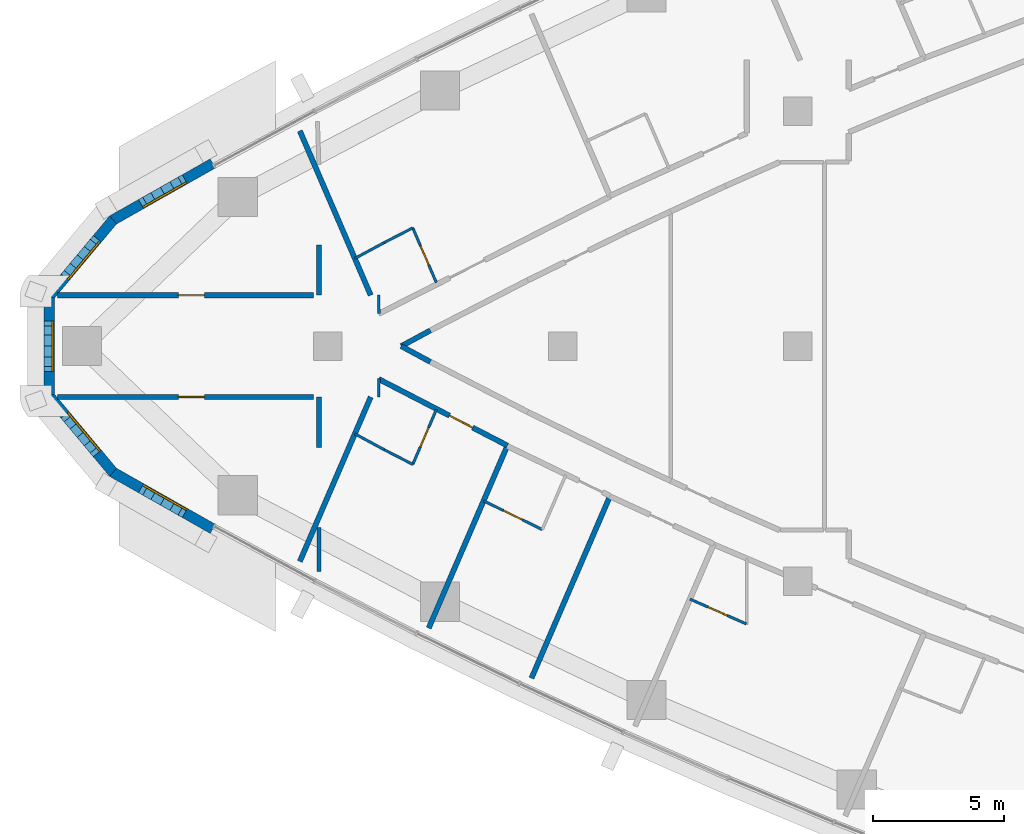
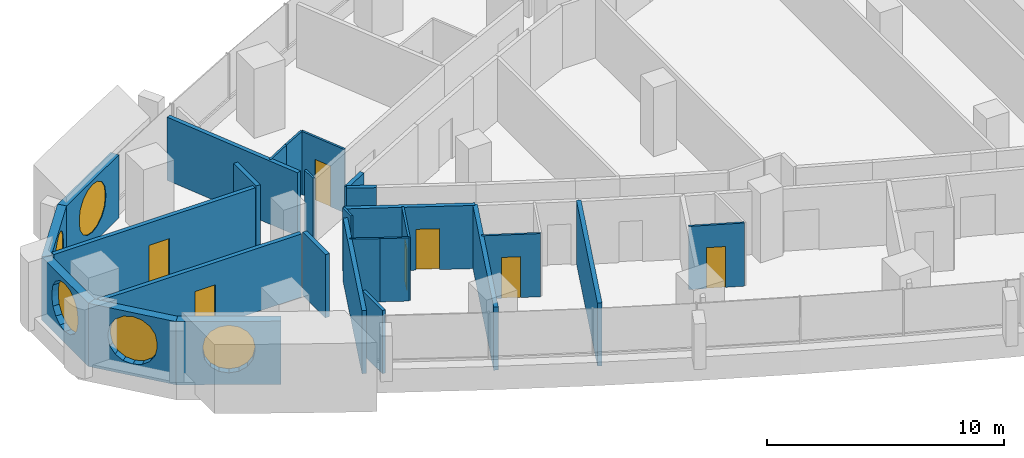
# One storey, part 8 of 17: 27 walls, 7 doors, 5 windows, 12 openings.
"""IFC4 building model written with IfcOpenShell, lengths in metres."""

from ifc_helpers import new_model, si_unit, direction, frame, frame_2d, origin, place, context, subcontext, project, spatial, polyline, rectangle, outline, extrude, material, layer, layer_set, type_object, element, fill, save


model = new_model("IFC4")

# Units and contexts
model_context = context("Model", 3, precision=1e-05, world=origin(), true_north=direction((0.0, 1.0)))
body_context = subcontext(model_context, "Body", "Model", "MODEL_VIEW")
ifc_project = project(units=[si_unit("LENGTHUNIT", "METRE"), si_unit("AREAUNIT", "SQUARE_METRE"), si_unit("VOLUMEUNIT", "CUBIC_METRE"), si_unit("PLANEANGLEUNIT", "RADIAN"), si_unit("MASSUNIT", "GRAM", prefix="KILO")], contexts=[model_context])

# Site, building, storey
site_placement = place(None, origin())
site = spatial("IfcSite", under=ifc_project, at=site_placement, CompositionType="ELEMENT")
building_placement = place(site_placement, origin())
building = spatial("IfcBuilding", under=site, at=building_placement, Name="Ostrand Prow Hotel Tower", CompositionType="ELEMENT")
storey_placement = place(building_placement, frame((0.0, 0.0, 155.050048828125)))
storey = spatial("IfcBuildingStorey", under=building, at=storey_placement, Name="L38", CompositionType="ELEMENT", Elevation=155.050048828125)

# Walls
ifc_material_1 = material(Name="Plasterboard partition")
ifc_layer_1 = layer(ifc_material_1, 0.10009765625)
ifc_layer_set_1 = layer_set([ifc_layer_1], Name="Plasterboard partition")
wall_type_1 = type_object("IfcWallType", Name="Partition 100 bathroom wall", PredefinedType="PARTITIONING", material=ifc_layer_set_1)
wall_1_placement = place(storey_placement, frame((17.03564453125, 3.3583984375, 0.0), z_axis=(0.0, 0.0, 1.0), x_axis=(0.879823588489, 0.475300382009, 0.0)))
element("IfcWall", 1, at=wall_1_placement, inside=storey, type_object=wall_type_1, Name="BATHROOM WALL", PredefinedType="PARTITIONING", context=body_context, shape_type="SweptSolid", body=[
    extrude(rectangle(XDim=1.27294921875, YDim=0.10009765625, at=frame_2d((0.636474609375, 0.0))), origin(), (0.0, 0.0, 1.0), 3.25),
])
wall_2_placement = place(storey_placement, frame((18.155517578125, 3.96337890625, 0.0), z_axis=(0.0, 0.0, 1.0), x_axis=(0.889106231322, 0.457700895154, 0.0)))
element("IfcWall", 2, at=wall_2_placement, inside=storey, type_object=wall_type_1, Name="BATHROOM WALL", PredefinedType="PARTITIONING", context=body_context, shape_type="SweptSolid", body=[
    extrude(rectangle(XDim=1.23486328125, YDim=0.10009765625, at=frame_2d((0.617431640625, 0.0))), origin(), (0.0, 0.0, 1.0), 3.25),
])

# Wall, opening, door
wall_3_placement = place(storey_placement, frame((19.253662109375, 4.528564453125, 0.0), z_axis=(0.0, 0.0, 1.0), x_axis=(0.395958457437, -0.9182684248, 0.0)))
wall_3 = element("IfcWall", 3, at=wall_3_placement, inside=storey, type_object=wall_type_1, Name="BATHROOM WALL", PredefinedType="PARTITIONING", context=body_context, shape_type="SweptSolid", body=[
    extrude(rectangle(XDim=2.281982421875, YDim=0.10009765625, at=frame_2d((1.14111328125, 0.0))), origin(), (0.0, 0.0, 1.0), 3.25),
])
opening_1_placement = place(wall_3_placement, frame((0.75, 0.0, 0.0)))
opening_1 = element("IfcOpeningElement", 4, at=opening_1_placement, cuts=wall_3, Name="Opening D2", PredefinedType="OPENING", context=body_context, shape_type="SweptSolid", body=[
    extrude(rectangle(XDim=0.800048828125, YDim=2.10009765625, at=frame_2d((0.39990234375, 1.050048828125))), frame((0.0, 0.06005859375, 0.0), z_axis=(0.0, -1.0, 0.0), x_axis=(1.0, 0.0, 0.0)), (0.0, 0.0, 1.0), 0.1201171875),
])
ifc_material_2 = material(Name="Timber door leaf", Category="wood")
door_type_1 = type_object("IfcDoorType", Name="Bathroom door 800", OperationType="SINGLE_SWING_LEFT", PredefinedType="DOOR", material=ifc_material_2)
door_1_placement = place(opening_1_placement, origin())
door_1 = element("IfcDoor", 5, at=door_1_placement, inside=storey, type_object=door_type_1, Name="DOOR", OperationType="SINGLE_SWING_LEFT", OverallHeight=2.10009765625, OverallWidth=0.800048828125, PredefinedType="DOOR", context=body_context, shape_type="SweptSolid", body=[
    extrude(rectangle(XDim=0.800048828125, YDim=2.10009765625, at=frame_2d((0.39990234375, 1.050048828125))), frame((0.0, 0.02490234375, 0.0), z_axis=(0.0, -1.0, 0.0), x_axis=(1.0, 0.0, 0.0)), (0.0, 0.0, 1.0), 0.050048828125),
])
fill(opening_1, door_1)

wall_4_placement = place(storey_placement, frame((20.1572265625, -2.43310546875, 0.0), z_axis=(0.0, 0.0, 1.0), x_axis=(-0.395958457437, -0.9182684248, 0.0)))
wall_4 = element("IfcWall", 6, at=wall_4_placement, inside=storey, type_object=wall_type_1, Name="BATHROOM WALL", PredefinedType="PARTITIONING", context=body_context, shape_type="SweptSolid", body=[
    extrude(rectangle(XDim=2.281982421875, YDim=0.10009765625, at=frame_2d((1.14111328125, 0.0))), origin(), (0.0, 0.0, 1.0), 3.25),
])
opening_2_placement = place(wall_4_placement, frame((0.75, 0.0, 0.0)))
opening_2 = element("IfcOpeningElement", 7, at=opening_2_placement, cuts=wall_4, Name="Opening D2", PredefinedType="OPENING", context=body_context, shape_type="SweptSolid", body=[
    extrude(rectangle(XDim=0.800048828125, YDim=2.10009765625, at=frame_2d((0.39990234375, 1.050048828125))), frame((0.0, 0.06005859375, 0.0), z_axis=(0.0, -1.0, 0.0), x_axis=(1.0, 0.0, 0.0)), (0.0, 0.0, 1.0), 0.1201171875),
])
door_2_placement = place(opening_2_placement, origin())
door_2 = element("IfcDoor", 8, at=door_2_placement, inside=storey, type_object=door_type_1, Name="DOOR", OperationType="SINGLE_SWING_LEFT", OverallHeight=2.10009765625, OverallWidth=0.800048828125, PredefinedType="DOOR", context=body_context, shape_type="SweptSolid", body=[
    extrude(rectangle(XDim=0.800048828125, YDim=2.10009765625, at=frame_2d((0.39990234375, 1.050048828125))), frame((0.0, 0.02490234375, 0.0), z_axis=(0.0, -1.0, 0.0), x_axis=(1.0, 0.0, 0.0)), (0.0, 0.0, 1.0), 0.050048828125),
])
fill(opening_2, door_2)

# Walls
wall_5_placement = place(storey_placement, frame((19.25341796875, -4.528564453125, 0.0), z_axis=(0.0, 0.0, 1.0), x_axis=(-0.889106231322, 0.457700895154, 0.0)))
element("IfcWall", 9, at=wall_5_placement, inside=storey, type_object=wall_type_1, Name="BATHROOM WALL", PredefinedType="PARTITIONING", context=body_context, shape_type="SweptSolid", body=[
    extrude(rectangle(XDim=1.23486328125, YDim=0.10009765625, at=frame_2d((0.617431640625, 0.0))), origin(), (0.0, 0.0, 1.0), 3.25),
])
wall_6_placement = place(storey_placement, frame((18.155517578125, -3.96337890625, 0.0), z_axis=(0.0, 0.0, 1.0), x_axis=(-0.879823588489, 0.475300382009, 0.0)))
element("IfcWall", 10, at=wall_6_placement, inside=storey, type_object=wall_type_1, Name="BATHROOM WALL", PredefinedType="PARTITIONING", context=body_context, shape_type="SweptSolid", body=[
    extrude(rectangle(XDim=1.27294921875, YDim=0.10009765625, at=frame_2d((0.636474609375, 0.0))), origin(), (0.0, 0.0, 1.0), 3.25),
])

# Wall, opening, door
wall_7_placement = place(storey_placement, frame((24.214111328125, -7.02490234375, 0.0), z_axis=(0.0, 0.0, 1.0), x_axis=(-0.898122466967, 0.439745419907, 0.0)))
wall_7 = element("IfcWall", 11, at=wall_7_placement, inside=storey, type_object=wall_type_1, Name="BATHROOM WALL", PredefinedType="PARTITIONING", context=body_context, shape_type="SweptSolid", body=[
    extrude(rectangle(XDim=2.502685546875, YDim=0.10009765625, at=frame_2d((1.25146484375, 0.0))), origin(), (0.0, 0.0, 1.0), 3.25),
])
opening_3_placement = place(wall_7_placement, frame((0.85009765625, 0.0, 0.0)))
opening_3 = element("IfcOpeningElement", 12, at=opening_3_placement, cuts=wall_7, Name="Opening D2", PredefinedType="OPENING", context=body_context, shape_type="SweptSolid", body=[
    extrude(rectangle(XDim=0.800048828125, YDim=2.10009765625, at=frame_2d((0.39990234375, 1.050048828125))), frame((0.0, 0.06005859375, 0.0), z_axis=(0.0, -1.0, 0.0), x_axis=(1.0, 0.0, 0.0)), (0.0, 0.0, 1.0), 0.1201171875),
])
door_3_placement = place(opening_3_placement, origin())
door_3 = element("IfcDoor", 13, at=door_3_placement, inside=storey, type_object=door_type_1, Name="DOOR", OperationType="SINGLE_SWING_LEFT", OverallHeight=2.10009765625, OverallWidth=0.800048828125, PredefinedType="DOOR", context=body_context, shape_type="SweptSolid", body=[
    extrude(rectangle(XDim=0.800048828125, YDim=2.10009765625, at=frame_2d((0.39990234375, 1.050048828125))), frame((0.0, 0.02490234375, 0.0), z_axis=(0.0, -1.0, 0.0), x_axis=(1.0, 0.0, 0.0)), (0.0, 0.0, 1.0), 0.050048828125),
])
fill(opening_3, door_3)

wall_8_placement = place(storey_placement, frame((32.02783203125, -10.638427734375, 0.0), z_axis=(0.0, 0.0, 1.0), x_axis=(-0.915108845766, 0.403206895278, 0.0)))
wall_8 = element("IfcWall", 14, at=wall_8_placement, inside=storey, type_object=wall_type_1, Name="BATHROOM WALL", PredefinedType="PARTITIONING", context=body_context, shape_type="SweptSolid", body=[
    extrude(rectangle(XDim=2.3583984375, YDim=0.10009765625, at=frame_2d((1.17919921875, 0.0))), origin(), (0.0, 0.0, 1.0), 3.25),
])
opening_4_placement = place(wall_8_placement, frame((0.800048828125, 0.0, 0.0)))
opening_4 = element("IfcOpeningElement", 15, at=opening_4_placement, cuts=wall_8, Name="Opening D2", PredefinedType="OPENING", context=body_context, shape_type="SweptSolid", body=[
    extrude(rectangle(XDim=0.800048828125, YDim=2.10009765625, at=frame_2d((0.39990234375, 1.050048828125))), frame((0.0, 0.06005859375, 0.0), z_axis=(0.0, -1.0, 0.0), x_axis=(1.0, 0.0, 0.0)), (0.0, 0.0, 1.0), 0.1201171875),
])
door_4_placement = place(opening_4_placement, origin())
door_4 = element("IfcDoor", 16, at=door_4_placement, inside=storey, type_object=door_type_1, Name="DOOR", OperationType="SINGLE_SWING_LEFT", OverallHeight=2.10009765625, OverallWidth=0.800048828125, PredefinedType="DOOR", context=body_context, shape_type="SweptSolid", body=[
    extrude(rectangle(XDim=0.800048828125, YDim=2.10009765625, at=frame_2d((0.39990234375, 1.050048828125))), frame((0.0, 0.02490234375, 0.0), z_axis=(0.0, -1.0, 0.0), x_axis=(1.0, 0.0, 0.0)), (0.0, 0.0, 1.0), 0.050048828125),
])
fill(opening_4, door_4)

# Walls
for number, where, z_axis, x_axis, name in (
    (17, (17.959716796875, 1.248779296875, 0.0), (0.0, 0.0, 1.0), (-0.007291472831, 0.999973416859, 0.0), "BATHROOM WALL"),
    (18, (17.95458984375, -1.951904296875, 0.0), (0.0, 0.0, 1.0), (0.007291472831, 0.999973416859, 0.0), "BATHROOM WALL"),
):
    element("IfcWall", number, at=place(storey_placement, frame(where, z_axis=z_axis, x_axis=x_axis)), inside=storey, type_object=wall_type_1, Name=name, PredefinedType="PARTITIONING", context=body_context, shape_type="SweptSolid", body=[
        extrude(rectangle(XDim=0.703125, YDim=0.10009765625, at=frame_2d((0.3515625, 0.0))), origin(), (0.0, 0.0, 1.0), 3.25),
    ])
ifc_material_3 = material(Name="Plasterboard partition")
ifc_layer_2 = layer(ifc_material_3, 0.14990234375)
ifc_layer_set_2 = layer_set([ifc_layer_2], Name="Plasterboard partition")
wall_type_2 = type_object("IfcWallType", Name="Partition 150 room partition", PredefinedType="PARTITIONING", material=ifc_layer_set_2)
wall_9_placement = place(storey_placement, frame((15.65869140625, -6.955078125, 0.0), z_axis=(0.0, 0.0, 1.0), x_axis=(0.0, -1.0, 0.0)))
element("IfcWall", 19, at=wall_9_placement, inside=storey, type_object=wall_type_2, Name="ROOM PARTITION", PredefinedType="PARTITIONING", context=body_context, shape_type="SweptSolid", body=[
    extrude(rectangle(XDim=1.68359375, YDim=0.14990234375, at=frame_2d((0.841796875, 0.0))), origin(), (0.0, 0.0, 1.0), 3.25),
])

# Wall, opening, door
ifc_material_4 = material(Name="Plasterboard partition")
ifc_layer_3 = layer(ifc_material_4, 0.199951171875)
ifc_layer_set_3 = layer_set([ifc_layer_3], Name="Plasterboard partition")
wall_type_3 = type_object("IfcWallType", Name="Partition 200 corridor wall", PredefinedType="PARTITIONING", material=ifc_layer_set_3)
wall_10_placement = place(storey_placement, frame((5.654296875, 1.949951171875, 0.0), z_axis=(0.0, 0.0, 1.0), x_axis=(1.0, 0.0, 0.0)))
wall_10 = element("IfcWall", 20, at=wall_10_placement, inside=storey, type_object=wall_type_3, Name="CORRIDOR WALL", PredefinedType="PARTITIONING", context=body_context, shape_type="SweptSolid", body=[
    extrude(rectangle(XDim=9.804443359375, YDim=0.199951171875, at=frame_2d((4.90234375, 0.0))), origin(), (0.0, 0.0, 1.0), 3.25),
])
opening_5_placement = place(wall_10_placement, frame((4.618408203125, 0.0, 0.0)))
opening_5 = element("IfcOpeningElement", 21, at=opening_5_placement, cuts=wall_10, Name="Opening D1", PredefinedType="OPENING", context=body_context, shape_type="SweptSolid", body=[
    extrude(rectangle(XDim=1.0, YDim=2.10009765625, at=frame_2d((0.5, 1.050048828125))), frame((0.0, 0.10986328125, 0.0), z_axis=(0.0, -1.0, 0.0), x_axis=(1.0, 0.0, 0.0)), (0.0, 0.0, 1.0), 0.219970703125),
])
ifc_material_5 = material(Name="Timber door leaf", Category="wood")
door_type_2 = type_object("IfcDoorType", Name="Guest room door 1000", OperationType="SINGLE_SWING_LEFT", PredefinedType="DOOR", material=ifc_material_5)
door_5_placement = place(opening_5_placement, origin())
door_5 = element("IfcDoor", 22, at=door_5_placement, inside=storey, type_object=door_type_2, Name="DOOR", OperationType="SINGLE_SWING_LEFT", OverallHeight=2.10009765625, OverallWidth=1.0, PredefinedType="DOOR", context=body_context, shape_type="SweptSolid", body=[
    extrude(rectangle(XDim=1.0, YDim=2.10009765625, at=frame_2d((0.5, 1.050048828125))), frame((0.0, 0.02490234375, 0.0), z_axis=(0.0, -1.0, 0.0), x_axis=(1.0, 0.0, 0.0)), (0.0, 0.0, 1.0), 0.050048828125),
])
fill(opening_5, door_5)

wall_11_placement = place(storey_placement, frame((5.654296875, -1.949951171875, 0.0), z_axis=(0.0, 0.0, 1.0), x_axis=(1.0, 0.0, 0.0)))
wall_11 = element("IfcWall", 23, at=wall_11_placement, inside=storey, type_object=wall_type_3, Name="CORRIDOR WALL", PredefinedType="PARTITIONING", context=body_context, shape_type="SweptSolid", body=[
    extrude(rectangle(XDim=9.804443359375, YDim=0.199951171875, at=frame_2d((4.90234375, 0.0))), origin(), (0.0, 0.0, 1.0), 3.25),
])
opening_6_placement = place(wall_11_placement, frame((4.618408203125, 0.0, 0.0)))
opening_6 = element("IfcOpeningElement", 24, at=opening_6_placement, cuts=wall_11, Name="Opening D1R", PredefinedType="OPENING", context=body_context, shape_type="SweptSolid", body=[
    extrude(rectangle(XDim=1.0, YDim=2.10009765625, at=frame_2d((0.5, 1.050048828125))), frame((0.0, 0.10986328125, 0.0), z_axis=(0.0, -1.0, 0.0), x_axis=(1.0, 0.0, 0.0)), (0.0, 0.0, 1.0), 0.219970703125),
])
ifc_material_6 = material(Name="Timber door leaf", Category="wood")
door_type_3 = type_object("IfcDoorType", Name="Guest room door 1000 right", OperationType="SINGLE_SWING_RIGHT", PredefinedType="DOOR", material=ifc_material_6)
door_6_placement = place(opening_6_placement, origin())
door_6 = element("IfcDoor", 25, at=door_6_placement, inside=storey, type_object=door_type_3, Name="DOOR", OperationType="SINGLE_SWING_RIGHT", OverallHeight=2.10009765625, OverallWidth=1.0, PredefinedType="DOOR", context=body_context, shape_type="SweptSolid", body=[
    extrude(rectangle(XDim=1.0, YDim=2.10009765625, at=frame_2d((0.5, 1.050048828125))), frame((0.0, 0.02490234375, 0.0), z_axis=(0.0, -1.0, 0.0), x_axis=(1.0, 0.0, 0.0)), (0.0, 0.0, 1.0), 0.050048828125),
])
fill(opening_6, door_6)

wall_12_placement = place(storey_placement, frame((17.949951171875, -1.2607421875, 0.0), z_axis=(0.0, 0.0, 1.0), x_axis=(0.888389715169, -0.459090093534, 0.0)))
wall_12 = element("IfcWall", 26, at=wall_12_placement, inside=storey, type_object=wall_type_3, Name="CORRIDOR WALL", PredefinedType="PARTITIONING", context=body_context, shape_type="SweptSolid", body=[
    extrude(rectangle(XDim=5.548095703125, YDim=0.199951171875, at=frame_2d((2.77392578125, 0.0))), origin(), (0.0, 0.0, 1.0), 3.25),
])
opening_7_placement = place(wall_12_placement, frame((3.050048828125, 0.0, 0.0)))
opening_7 = element("IfcOpeningElement", 27, at=opening_7_placement, cuts=wall_12, Name="Opening D1R", PredefinedType="OPENING", context=body_context, shape_type="SweptSolid", body=[
    extrude(rectangle(XDim=1.0, YDim=2.10009765625, at=frame_2d((0.5, 1.050048828125))), frame((0.0, 0.10986328125, 0.0), z_axis=(0.0, -1.0, 0.0), x_axis=(1.0, 0.0, 0.0)), (0.0, 0.0, 1.0), 0.219970703125),
])
door_7_placement = place(opening_7_placement, origin())
door_7 = element("IfcDoor", 28, at=door_7_placement, inside=storey, type_object=door_type_3, Name="DOOR", OperationType="SINGLE_SWING_RIGHT", OverallHeight=2.10009765625, OverallWidth=1.0, PredefinedType="DOOR", context=body_context, shape_type="SweptSolid", body=[
    extrude(rectangle(XDim=1.0, YDim=2.10009765625, at=frame_2d((0.5, 1.050048828125))), frame((0.0, 0.02490234375, 0.0), z_axis=(0.0, -1.0, 0.0), x_axis=(1.0, 0.0, 0.0)), (0.0, 0.0, 1.0), 0.050048828125),
])
fill(opening_7, door_7)

# Walls
for number, where, z_axis, x_axis, name in (
    (29, (19.928466796875, -0.60205078125, 0.0), (0.0, 0.0, 1.0), (-0.879832865766, 0.475283208538, 0.0), "CORRIDOR WALL"),
    (30, (18.81396484375, 0.0, 0.0), (0.0, 0.0, 1.0), (0.879832865766, 0.475283208538, 0.0), "CORRIDOR WALL"),
):
    element("IfcWall", number, at=place(storey_placement, frame(where, z_axis=z_axis, x_axis=x_axis)), inside=storey, type_object=wall_type_3, Name=name, PredefinedType="PARTITIONING", context=body_context, shape_type="SweptSolid", body=[
        extrude(rectangle(XDim=1.2666015625, YDim=0.199951171875, at=frame_2d((0.63330078125, 0.0))), origin(), (0.0, 0.0, 1.0), 3.25),
    ])
wall_13_placement = place(storey_placement, frame((15.65869140625, 3.869384765625, 0.0), z_axis=(0.0, 0.0, 1.0), x_axis=(0.0, -1.0, 0.0)))
element("IfcWall", 31, at=wall_13_placement, inside=storey, type_object=wall_type_3, Name="CORRIDOR WALL", PredefinedType="PARTITIONING", context=body_context, shape_type="SweptSolid", body=[
    extrude(rectangle(XDim=1.914306640625, YDim=0.199951171875, at=frame_2d((0.95703125, 0.0))), origin(), (0.0, 0.0, 1.0), 3.25),
])
wall_14_placement = place(storey_placement, frame((15.65869140625, -1.955078125, 0.0), z_axis=(0.0, 0.0, 1.0), x_axis=(0.0, -1.0, 0.0)))
element("IfcWall", 32, at=wall_14_placement, inside=storey, type_object=wall_type_3, Name="CORRIDOR WALL", PredefinedType="PARTITIONING", context=body_context, shape_type="SweptSolid", body=[
    extrude(rectangle(XDim=1.921630859375, YDim=0.199951171875, at=frame_2d((0.9609375, 0.0))), origin(), (0.0, 0.0, 1.0), 3.25),
])
ifc_material_7 = material(Name="Plasterboard partition")
ifc_layer_4 = layer(ifc_material_7, 0.199951171875)
ifc_layer_set_4 = layer_set([ifc_layer_4], Name="Plasterboard partition")
wall_type_4 = type_object("IfcWallType", Name="Partition 200 key partition", PredefinedType="PARTITIONING", material=ifc_layer_set_4)
for number, where, z_axis, x_axis, name in (
    (33, (17.64306640625, 1.949951171875, 0.0), (0.0, 0.0, 1.0), (-0.395994543879, 0.918252863441, 0.0), "KEY PARTITION"),
    (34, (14.9287109375, -8.244140625, 0.0), (0.0, 0.0, 1.0), (0.395994543879, 0.918252863441, 0.0), "KEY PARTITION"),
):
    element("IfcWall", number, at=place(storey_placement, frame(where, z_axis=z_axis, x_axis=x_axis)), inside=storey, type_object=wall_type_4, Name=name, PredefinedType="PARTITIONING", context=body_context, shape_type="SweptSolid", body=[
        extrude(rectangle(XDim=6.8544921875, YDim=0.199951171875, at=frame_2d((3.42724609375, 0.0))), origin(), (0.0, 0.0, 1.0), 3.25),
    ])
wall_15_placement = place(storey_placement, frame((19.864990234375, -10.796875, 0.0), z_axis=(0.0, 0.0, 1.0), x_axis=(0.395985583575, 0.918256727501, 0.0)))
element("IfcWall", 35, at=wall_15_placement, inside=storey, type_object=wall_type_4, Name="KEY PARTITION", PredefinedType="PARTITIONING", context=body_context, shape_type="SweptSolid", body=[
    extrude(rectangle(XDim=7.611083984375, YDim=0.199951171875, at=frame_2d((3.8056640625, 0.0))), origin(), (0.0, 0.0, 1.0), 3.25),
])
wall_16_placement = place(storey_placement, frame((23.800537109375, -12.716064453125, 0.0), z_axis=(0.0, 0.0, 1.0), x_axis=(0.395995556294, 0.918252426839, 0.0)))
element("IfcWall", 36, at=wall_16_placement, inside=storey, type_object=wall_type_4, Name="KEY PARTITION", PredefinedType="PARTITIONING", context=body_context, shape_type="SweptSolid", body=[
    extrude(rectangle(XDim=7.60302734375, YDim=0.199951171875, at=frame_2d((3.801513671875, 0.0))), origin(), (0.0, 0.0, 1.0), 3.25),
])

# Wall, opening, window
ifc_material_8 = material(Name="Precast concrete C40/50", Category="concrete")
ifc_layer_5 = layer(ifc_material_8, 0.39990234375)
ifc_layer_set_5 = layer_set([ifc_layer_5], Name="Precast concrete C40/50")
wall_type_5 = type_object("IfcWallType", Name="Stone-faced precast wall 400 mm", PredefinedType="NOTDEFINED", material=ifc_layer_set_5)
wall_17_placement = place(storey_placement, frame((11.594482421875, 6.996826171875, 0.0), z_axis=(0.0, 0.0, 1.0), x_axis=(-0.870045255208, -0.492971859125, 0.0)))
wall_17 = element("IfcWall", 37, at=wall_17_placement, inside=storey, type_object=wall_type_5, Name="Stone-faced wall prow 1", PredefinedType="NOTDEFINED", context=body_context, shape_type="SweptSolid", body=[
    extrude(outline(polyline([(0.0, -0.199951171875), (4.424072265625, -0.199951171875), (4.351806640625, 0.199951171875), (0.0, 0.199951171875), (0.0, -0.199951171875)])), origin(), (0.0, 0.0, 1.0), 3.25),
])
opening_8_placement = place(wall_17_placement, frame((1.093994140625, 0.0, 0.60009765625)))
opening_8 = element("IfcOpeningElement", 38, at=opening_8_placement, cuts=wall_17, Name="Opening WP2", PredefinedType="OPENING", context=body_context, shape_type="SweptSolid", body=[
    extrude(outline(polyline([(0.0, 1.35009765625), (0.083740234375, 1.77099609375), (0.322265625, 2.127685546875), (0.678955078125, 2.3662109375), (1.10009765625, 2.449951171875), (1.52099609375, 2.3662109375), (1.877685546875, 2.127685546875), (2.1162109375, 1.77099609375), (2.199951171875, 1.35009765625), (2.199951171875, 1.10009765625), (2.1162109375, 0.678955078125), (1.877685546875, 0.322265625), (1.52099609375, 0.083740234375), (1.10009765625, 0.0), (0.678955078125, 0.083740234375), (0.322265625, 0.322265625), (0.083740234375, 0.678955078125), (0.0, 1.099853515625), (0.0, 1.35009765625)])), frame((0.0, 0.2099609375, 0.0), z_axis=(0.0, -1.0, 0.0), x_axis=(1.0, 0.0, 0.0)), (0.0, 0.0, 1.0), 0.419921875),
])
ifc_material_9 = material(Name="Insulated glass in bronze frame", Category="glass")
window_type = type_object("IfcWindowType", Name="Round-ended prow lounge window 2200x2450", PartitioningType="SINGLE_PANEL", PredefinedType="WINDOW", material=ifc_material_9)
window_1_placement = place(opening_8_placement, origin())
window_1 = element("IfcWindow", 39, at=window_1_placement, inside=storey, type_object=window_type, Name="Window prow 1.1", OverallHeight=2.449951171875, OverallWidth=2.199951171875, PartitioningType="SINGLE_PANEL", PredefinedType="WINDOW", context=body_context, shape_type="SweptSolid", body=[
    extrude(outline(polyline([(0.0, 1.35009765625), (0.083740234375, 1.77099609375), (0.322265625, 2.127685546875), (0.678955078125, 2.3662109375), (1.10009765625, 2.449951171875), (1.52099609375, 2.3662109375), (1.877685546875, 2.127685546875), (2.1162109375, 1.77099609375), (2.199951171875, 1.35009765625), (2.199951171875, 1.10009765625), (2.1162109375, 0.678955078125), (1.877685546875, 0.322265625), (1.52099609375, 0.083740234375), (1.10009765625, 0.0), (0.678955078125, 0.083740234375), (0.322265625, 0.322265625), (0.083740234375, 0.678955078125), (0.0, 1.099853515625), (0.0, 1.35009765625)])), frame((0.0, 0.169921875, 0.0), z_axis=(0.0, -1.0, 0.0), x_axis=(1.0, 0.0, 0.0)), (0.0, 0.0, 1.0), 0.06005859375),
])
fill(opening_8, window_1)

wall_18_placement = place(storey_placement, frame((7.77685546875, 4.833740234375, 0.0), z_axis=(0.0, 0.0, 1.0), x_axis=(-0.641787918235, -0.766882173484, 0.0)))
wall_18 = element("IfcWall", 40, at=wall_18_placement, inside=storey, type_object=wall_type_5, Name="Stone-faced wall prow 2", PredefinedType="NOTDEFINED", context=body_context, shape_type="SweptSolid", body=[
    extrude(outline(polyline([(-0.0361328125, -0.199951171875), (3.887939453125, -0.199951171875), (3.742919921875, 0.199951171875), (0.0361328125, 0.199951171875), (-0.0361328125, -0.199951171875)])), origin(), (0.0, 0.0, 1.0), 3.25),
])
opening_9_placement = place(wall_18_placement, frame((0.8076171875, 0.0, 0.60009765625)))
opening_9 = element("IfcOpeningElement", 41, at=opening_9_placement, cuts=wall_18, Name="Opening WP2", PredefinedType="OPENING", context=body_context, shape_type="SweptSolid", body=[
    extrude(outline(polyline([(0.0, 1.35009765625), (0.083740234375, 1.77099609375), (0.322265625, 2.127685546875), (0.678955078125, 2.3662109375), (1.10009765625, 2.449951171875), (1.52099609375, 2.3662109375), (1.877685546875, 2.127685546875), (2.1162109375, 1.77099609375), (2.199951171875, 1.35009765625), (2.199951171875, 1.10009765625), (2.1162109375, 0.678955078125), (1.877685546875, 0.322265625), (1.52099609375, 0.083740234375), (1.10009765625, 0.0), (0.678955078125, 0.083740234375), (0.322265625, 0.322265625), (0.083740234375, 0.678955078125), (0.0, 1.099853515625), (0.0, 1.35009765625)])), frame((0.0, 0.2099609375, 0.0), z_axis=(0.0, -1.0, 0.0), x_axis=(1.0, 0.0, 0.0)), (0.0, 0.0, 1.0), 0.419921875),
])
window_2_placement = place(opening_9_placement, origin())
window_2 = element("IfcWindow", 42, at=window_2_placement, inside=storey, type_object=window_type, Name="Window prow 2.1", OverallHeight=2.449951171875, OverallWidth=2.199951171875, PartitioningType="SINGLE_PANEL", PredefinedType="WINDOW", context=body_context, shape_type="SweptSolid", body=[
    extrude(outline(polyline([(0.0, 1.35009765625), (0.083740234375, 1.77099609375), (0.322265625, 2.127685546875), (0.678955078125, 2.3662109375), (1.10009765625, 2.449951171875), (1.52099609375, 2.3662109375), (1.877685546875, 2.127685546875), (2.1162109375, 1.77099609375), (2.199951171875, 1.35009765625), (2.199951171875, 1.10009765625), (2.1162109375, 0.678955078125), (1.877685546875, 0.322265625), (1.52099609375, 0.083740234375), (1.10009765625, 0.0), (0.678955078125, 0.083740234375), (0.322265625, 0.322265625), (0.083740234375, 0.678955078125), (0.0, 1.099853515625), (0.0, 1.35009765625)])), frame((0.0, 0.169921875, 0.0), z_axis=(0.0, -1.0, 0.0), x_axis=(1.0, 0.0, 0.0)), (0.0, 0.0, 1.0), 0.06005859375),
])
fill(opening_9, window_2)

wall_19_placement = place(storey_placement, frame((5.328125, 1.90771484375, 0.0), z_axis=(0.0, 0.0, 1.0), x_axis=(0.0, -1.0, 0.0)))
wall_19 = element("IfcWall", 43, at=wall_19_placement, inside=storey, type_object=wall_type_5, Name="Stone-faced wall prow 3", PredefinedType="NOTDEFINED", context=body_context, shape_type="SweptSolid", body=[
    extrude(outline(polyline([(-0.072509765625, -0.199951171875), (3.887939453125, -0.199951171875), (3.742919921875, 0.199951171875), (0.072509765625, 0.199951171875), (-0.072509765625, -0.199951171875)])), origin(), (0.0, 0.0, 1.0), 3.25),
])
opening_10_placement = place(wall_19_placement, frame((0.8076171875, 0.0, 0.60009765625)))
opening_10 = element("IfcOpeningElement", 44, at=opening_10_placement, cuts=wall_19, Name="Opening WP2", PredefinedType="OPENING", context=body_context, shape_type="SweptSolid", body=[
    extrude(outline(polyline([(0.0, 1.35009765625), (0.083740234375, 1.77099609375), (0.322265625, 2.127685546875), (0.678955078125, 2.3662109375), (1.10009765625, 2.449951171875), (1.52099609375, 2.3662109375), (1.877685546875, 2.127685546875), (2.1162109375, 1.77099609375), (2.199951171875, 1.35009765625), (2.199951171875, 1.10009765625), (2.1162109375, 0.678955078125), (1.877685546875, 0.322265625), (1.52099609375, 0.083740234375), (1.10009765625, 0.0), (0.678955078125, 0.083740234375), (0.322265625, 0.322265625), (0.083740234375, 0.678955078125), (0.0, 1.099853515625), (0.0, 1.35009765625)])), frame((0.0, 0.2099609375, 0.0), z_axis=(0.0, -1.0, 0.0), x_axis=(1.0, 0.0, 0.0)), (0.0, 0.0, 1.0), 0.419921875),
])
window_3_placement = place(opening_10_placement, origin())
window_3 = element("IfcWindow", 45, at=window_3_placement, inside=storey, type_object=window_type, Name="Window prow 3.1", OverallHeight=2.449951171875, OverallWidth=2.199951171875, PartitioningType="SINGLE_PANEL", PredefinedType="WINDOW", context=body_context, shape_type="SweptSolid", body=[
    extrude(outline(polyline([(0.0, 1.35009765625), (0.083740234375, 1.77099609375), (0.322265625, 2.127685546875), (0.678955078125, 2.3662109375), (1.10009765625, 2.449951171875), (1.52099609375, 2.3662109375), (1.877685546875, 2.127685546875), (2.1162109375, 1.77099609375), (2.199951171875, 1.35009765625), (2.199951171875, 1.10009765625), (2.1162109375, 0.678955078125), (1.877685546875, 0.322265625), (1.52099609375, 0.083740234375), (1.10009765625, 0.0), (0.678955078125, 0.083740234375), (0.322265625, 0.322265625), (0.083740234375, 0.678955078125), (0.0, 1.099853515625), (0.0, 1.35009765625)])), frame((0.0, 0.169921875, 0.0), z_axis=(0.0, -1.0, 0.0), x_axis=(1.0, 0.0, 0.0)), (0.0, 0.0, 1.0), 0.06005859375),
])
fill(opening_10, window_3)

wall_20_placement = place(storey_placement, frame((5.328125, -1.90771484375, 0.0), z_axis=(0.0, 0.0, 1.0), x_axis=(0.641787918235, -0.766882173484, 0.0)))
wall_20 = element("IfcWall", 46, at=wall_20_placement, inside=storey, type_object=wall_type_5, Name="Stone-faced wall prow 4", PredefinedType="NOTDEFINED", context=body_context, shape_type="SweptSolid", body=[
    extrude(outline(polyline([(-0.072509765625, -0.199951171875), (3.8515625, -0.199951171875), (3.779296875, 0.199951171875), (0.072509765625, 0.199951171875), (-0.072509765625, -0.199951171875)])), origin(), (0.0, 0.0, 1.0), 3.25),
])
opening_11_placement = place(wall_20_placement, frame((0.8076171875, 0.0, 0.60009765625)))
opening_11 = element("IfcOpeningElement", 47, at=opening_11_placement, cuts=wall_20, Name="Opening WP2", PredefinedType="OPENING", context=body_context, shape_type="SweptSolid", body=[
    extrude(outline(polyline([(0.0, 1.35009765625), (0.083740234375, 1.77099609375), (0.322265625, 2.127685546875), (0.678955078125, 2.3662109375), (1.10009765625, 2.449951171875), (1.52099609375, 2.3662109375), (1.877685546875, 2.127685546875), (2.1162109375, 1.77099609375), (2.199951171875, 1.35009765625), (2.199951171875, 1.10009765625), (2.1162109375, 0.678955078125), (1.877685546875, 0.322265625), (1.52099609375, 0.083740234375), (1.10009765625, 0.0), (0.678955078125, 0.083740234375), (0.322265625, 0.322265625), (0.083740234375, 0.678955078125), (0.0, 1.099853515625), (0.0, 1.35009765625)])), frame((0.0, 0.2099609375, 0.0), z_axis=(0.0, -1.0, 0.0), x_axis=(1.0, 0.0, 0.0)), (0.0, 0.0, 1.0), 0.419921875),
])
window_4_placement = place(opening_11_placement, origin())
window_4 = element("IfcWindow", 48, at=window_4_placement, inside=storey, type_object=window_type, Name="Window prow 4.1", OverallHeight=2.449951171875, OverallWidth=2.199951171875, PartitioningType="SINGLE_PANEL", PredefinedType="WINDOW", context=body_context, shape_type="SweptSolid", body=[
    extrude(outline(polyline([(0.0, 1.35009765625), (0.083740234375, 1.77099609375), (0.322265625, 2.127685546875), (0.678955078125, 2.3662109375), (1.10009765625, 2.449951171875), (1.52099609375, 2.3662109375), (1.877685546875, 2.127685546875), (2.1162109375, 1.77099609375), (2.199951171875, 1.35009765625), (2.199951171875, 1.10009765625), (2.1162109375, 0.678955078125), (1.877685546875, 0.322265625), (1.52099609375, 0.083740234375), (1.10009765625, 0.0), (0.678955078125, 0.083740234375), (0.322265625, 0.322265625), (0.083740234375, 0.678955078125), (0.0, 1.099853515625), (0.0, 1.35009765625)])), frame((0.0, 0.169921875, 0.0), z_axis=(0.0, -1.0, 0.0), x_axis=(1.0, 0.0, 0.0)), (0.0, 0.0, 1.0), 0.06005859375),
])
fill(opening_11, window_4)

wall_21_placement = place(storey_placement, frame((7.77685546875, -4.833740234375, 0.0), z_axis=(0.0, 0.0, 1.0), x_axis=(0.870045255208, -0.492971859125, 0.0)))
wall_21 = element("IfcWall", 49, at=wall_21_placement, inside=storey, type_object=wall_type_5, Name="Stone-faced wall prow 5", PredefinedType="NOTDEFINED", context=body_context, shape_type="SweptSolid", body=[
    extrude(outline(polyline([(-0.0361328125, -0.199951171875), (4.387939453125, -0.199951171875), (4.387939453125, 0.199951171875), (0.0361328125, 0.199951171875), (-0.0361328125, -0.199951171875)])), origin(), (0.0, 0.0, 1.0), 3.25),
])
opening_12_placement = place(wall_21_placement, frame((1.093994140625, 0.0, 0.60009765625)))
opening_12 = element("IfcOpeningElement", 50, at=opening_12_placement, cuts=wall_21, Name="Opening WP2", PredefinedType="OPENING", context=body_context, shape_type="SweptSolid", body=[
    extrude(outline(polyline([(0.0, 1.35009765625), (0.083740234375, 1.77099609375), (0.322265625, 2.127685546875), (0.678955078125, 2.3662109375), (1.10009765625, 2.449951171875), (1.52099609375, 2.3662109375), (1.877685546875, 2.127685546875), (2.1162109375, 1.77099609375), (2.199951171875, 1.35009765625), (2.199951171875, 1.10009765625), (2.1162109375, 0.678955078125), (1.877685546875, 0.322265625), (1.52099609375, 0.083740234375), (1.10009765625, 0.0), (0.678955078125, 0.083740234375), (0.322265625, 0.322265625), (0.083740234375, 0.678955078125), (0.0, 1.099853515625), (0.0, 1.35009765625)])), frame((0.0, 0.2099609375, 0.0), z_axis=(0.0, -1.0, 0.0), x_axis=(1.0, 0.0, 0.0)), (0.0, 0.0, 1.0), 0.419921875),
])
window_5_placement = place(opening_12_placement, origin())
window_5 = element("IfcWindow", 51, at=window_5_placement, inside=storey, type_object=window_type, Name="Window prow 5.1", OverallHeight=2.449951171875, OverallWidth=2.199951171875, PartitioningType="SINGLE_PANEL", PredefinedType="WINDOW", context=body_context, shape_type="SweptSolid", body=[
    extrude(outline(polyline([(0.0, 1.35009765625), (0.083740234375, 1.77099609375), (0.322265625, 2.127685546875), (0.678955078125, 2.3662109375), (1.10009765625, 2.449951171875), (1.52099609375, 2.3662109375), (1.877685546875, 2.127685546875), (2.1162109375, 1.77099609375), (2.199951171875, 1.35009765625), (2.199951171875, 1.10009765625), (2.1162109375, 0.678955078125), (1.877685546875, 0.322265625), (1.52099609375, 0.083740234375), (1.10009765625, 0.0), (0.678955078125, 0.083740234375), (0.322265625, 0.322265625), (0.083740234375, 0.678955078125), (0.0, 1.099853515625), (0.0, 1.35009765625)])), frame((0.0, 0.169921875, 0.0), z_axis=(0.0, -1.0, 0.0), x_axis=(1.0, 0.0, 0.0)), (0.0, 0.0, 1.0), 0.06005859375),
])
fill(opening_12, window_5)

save(model, "model.ifc")
